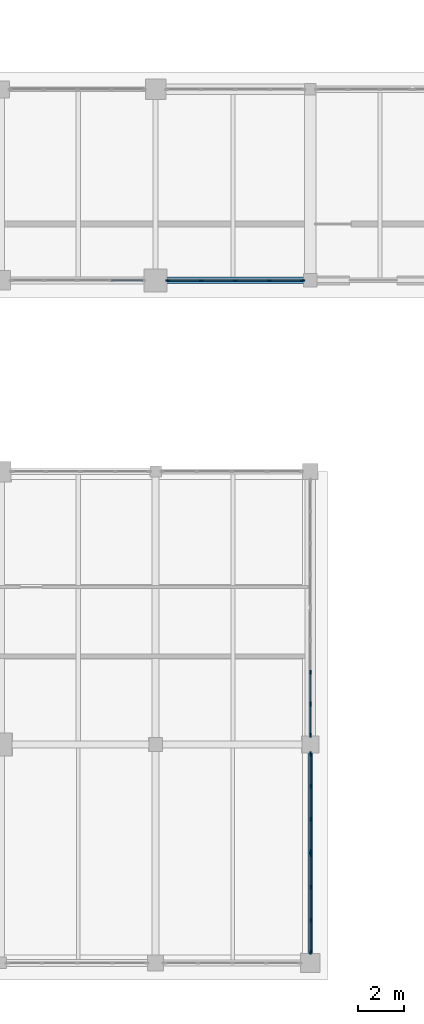
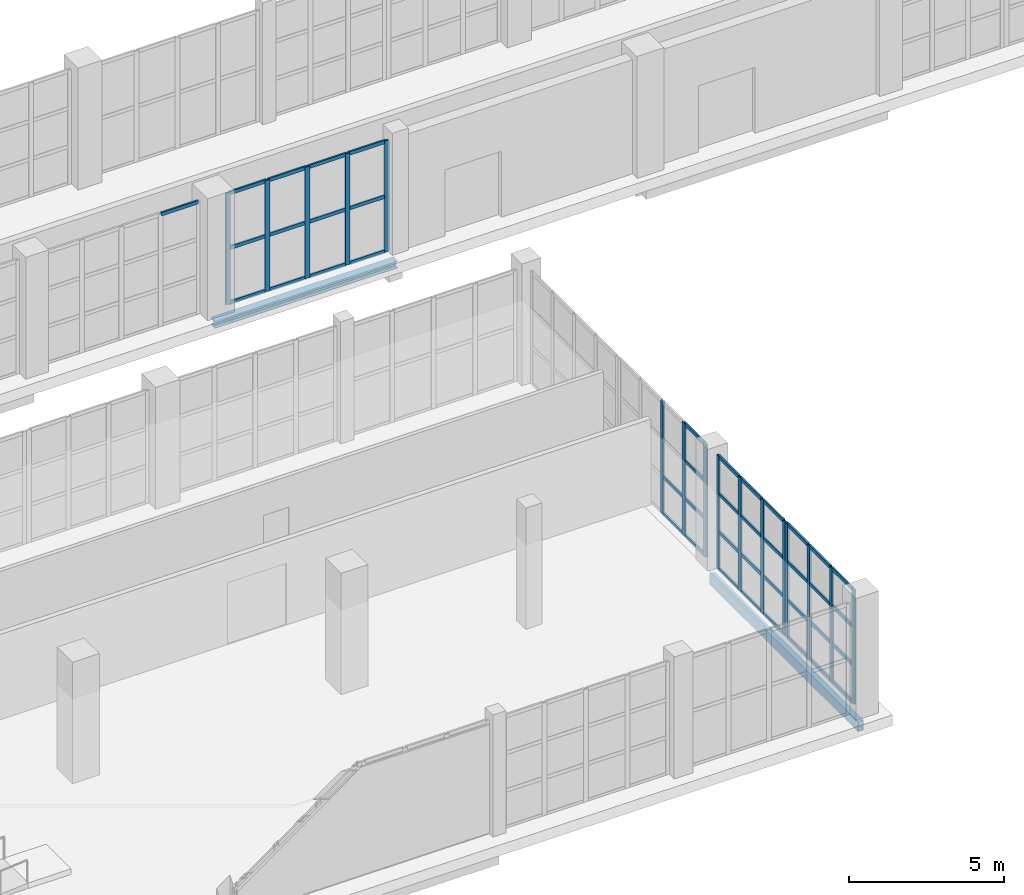
# One storey, part 46 of 121: 59 members, 2 beams, 5 elements without a shape of their own.
"""IFC4 building model written with IfcOpenShell, lengths in metres."""

from ifc_helpers import new_model, si_unit, direction, frame, origin, origin_2d, place, context, subcontext, project, spatial, rectangle, hollow_rectangle, i_section, extrude, material, layer, layer_set, material_profile, profile_set, type_object, element, aggregate, save


model = new_model("IFC4")

# Units and contexts
model_context = context("Model", 3, precision=1e-05, world=origin(), true_north=direction((0.0, 1.0)))
body_context = subcontext(model_context, "Body", "Model", "MODEL_VIEW")
ifc_project = project(units=[si_unit("LENGTHUNIT", "METRE"), si_unit("AREAUNIT", "SQUARE_METRE"), si_unit("VOLUMEUNIT", "CUBIC_METRE"), si_unit("PLANEANGLEUNIT", "RADIAN"), si_unit("MASSUNIT", "GRAM", prefix="KILO")], contexts=[model_context])

# Site, building, storey
site_placement = place(None, origin())
site = spatial("IfcSite", under=ifc_project, at=site_placement, CompositionType="ELEMENT")
building_placement = place(site_placement, origin())
building = spatial("IfcBuilding", under=site, at=building_placement, Name="Zereglee Splitstone Museum", CompositionType="ELEMENT")
storey_placement = place(building_placement, origin())
storey = spatial("IfcBuildingStorey", under=building, at=storey_placement, Name="L00", CompositionType="ELEMENT", Elevation=0.0)

# Curtain wall, members
ifc_material_1 = material(Name="Triple-glazed low-E argon glass and bronze-anodised aluminium", Category="aluminium")
ifc_layer_1 = layer(ifc_material_1, 0.179931640625)
ifc_layer_set_1 = layer_set([ifc_layer_1], Name="Triple-glazed low-E argon glass and bronze-anodised aluminium")
curtain_wall_type_1 = type_object("IfcCurtainWallType", Name="CW-0435-450", PredefinedType="USERDEFINED", material=ifc_layer_set_1)
curtain_wall_1_placement = place(storey_placement, origin())
curtain_wall_1 = element("IfcCurtainWall", 1, at=curtain_wall_1_placement, inside=storey, type_object=curtain_wall_type_1, Name="Glazed Curtain Wall CW-0435-450 (L00)", ObjectType="GLAZED CURTAIN WALL", PredefinedType="USERDEFINED")
ifc_material_2 = material(Name="Thermally broken bronze-anodised aluminium", Category="aluminium")
ifc_material_profile_1 = material_profile(ifc_material_2, rectangle(XDim=0.06494140625, YDim=0.179931640625, at=origin_2d()), Name="CW MULL 65x180")
ifc_profile_set_1 = profile_set([ifc_material_profile_1], Name="Thermally broken bronze-anodised aluminium")
member_type_1 = type_object("IfcMemberType", Name="CWM-01", PredefinedType="MULLION", material=ifc_profile_set_1)
member_1_placement = place(storey_placement, frame((228.800048828125, 0.465576171875, 0.0), z_axis=(0.0, 0.0, 1.0), x_axis=(-1.0, 0.0, 0.0)))
member_1 = element("IfcMember", 2, at=member_1_placement, type_object=member_type_1, Name="CW-0435-450 mullion 1", PredefinedType="MULLION", context=body_context, shape_type="SweptSolid", body=[
    extrude(rectangle(XDim=0.06494140625, YDim=0.179931640625, at=origin_2d()), origin(), (0.0, 0.0, 1.0), 4.5),
])
member_2_placement = place(storey_placement, frame((228.800048828125, 1.883544921875, 0.0), z_axis=(0.0, 0.0, 1.0), x_axis=(-1.0, 0.0, 0.0)))
member_2 = element("IfcMember", 3, at=member_2_placement, type_object=member_type_1, Name="CW-0435-450 mullion 2", PredefinedType="MULLION", context=body_context, shape_type="SweptSolid", body=[
    extrude(rectangle(XDim=0.06494140625, YDim=0.179931640625, at=origin_2d()), origin(), (0.0, 0.0, 1.0), 4.5),
])
member_3_placement = place(storey_placement, frame((228.800048828125, 3.334228515625, 0.0), z_axis=(0.0, 0.0, 1.0), x_axis=(-1.0, 0.0, 0.0)))
member_3 = element("IfcMember", 4, at=member_3_placement, type_object=member_type_1, Name="CW-0435-450 mullion 3", PredefinedType="MULLION", context=body_context, shape_type="SweptSolid", body=[
    extrude(rectangle(XDim=0.06494140625, YDim=0.179931640625, at=origin_2d()), origin(), (0.0, 0.0, 1.0), 4.5),
])
member_4_placement = place(storey_placement, frame((228.800048828125, 4.75244140625, 0.0), z_axis=(0.0, 0.0, 1.0), x_axis=(-1.0, 0.0, 0.0)))
member_4 = element("IfcMember", 5, at=member_4_placement, type_object=member_type_1, Name="CW-0435-450 mullion 4", PredefinedType="MULLION", context=body_context, shape_type="SweptSolid", body=[
    extrude(rectangle(XDim=0.06494140625, YDim=0.179931640625, at=origin_2d()), origin(), (0.0, 0.0, 1.0), 4.5),
])

ifc_layer_2 = layer(ifc_material_1, 0.179931640625)
ifc_layer_set_2 = layer_set([ifc_layer_2], Name="Triple-glazed low-E argon glass and bronze-anodised aluminium")
curtain_wall_type_2 = type_object("IfcCurtainWallType", Name="CW-0435-448", PredefinedType="USERDEFINED", material=ifc_layer_set_2)
curtain_wall_2_placement = place(storey_placement, origin())
curtain_wall_2 = element("IfcCurtainWall", 6, at=curtain_wall_2_placement, inside=storey, type_object=curtain_wall_type_2, Name="Glazed Curtain Wall CW-0435-448 (L00)", ObjectType="GLAZED CURTAIN WALL", PredefinedType="USERDEFINED")
member_5_placement = place(storey_placement, frame((228.800048828125, 4.8974609375, 0.0), z_axis=(0.0, 0.0, 1.0), x_axis=(-1.0, 0.0, 0.0)))
member_5 = element("IfcMember", 7, at=member_5_placement, type_object=member_type_1, Name="CW-0435-448 mullion 1", PredefinedType="MULLION", context=body_context, shape_type="SweptSolid", body=[
    extrude(rectangle(XDim=0.06494140625, YDim=0.179931640625, at=origin_2d()), origin(), (0.0, 0.0, 1.0), 4.47998046875),
])
member_6_placement = place(storey_placement, frame((228.800048828125, 6.315673828125, 0.0), z_axis=(0.0, 0.0, 1.0), x_axis=(-1.0, 0.0, 0.0)))
member_6 = element("IfcMember", 8, at=member_6_placement, type_object=member_type_1, Name="CW-0435-448 mullion 2", PredefinedType="MULLION", context=body_context, shape_type="SweptSolid", body=[
    extrude(rectangle(XDim=0.06494140625, YDim=0.179931640625, at=origin_2d()), origin(), (0.0, 0.0, 1.0), 4.47998046875),
])
member_7_placement = place(storey_placement, frame((228.800048828125, 7.766357421875, 0.0), z_axis=(0.0, 0.0, 1.0), x_axis=(-1.0, 0.0, 0.0)))
member_7 = element("IfcMember", 9, at=member_7_placement, type_object=member_type_1, Name="CW-0435-448 mullion 3", PredefinedType="MULLION", context=body_context, shape_type="SweptSolid", body=[
    extrude(rectangle(XDim=0.06494140625, YDim=0.179931640625, at=origin_2d()), origin(), (0.0, 0.0, 1.0), 4.47998046875),
])
member_8_placement = place(storey_placement, frame((228.800048828125, 9.1845703125, 0.0), z_axis=(0.0, 0.0, 1.0), x_axis=(-1.0, 0.0, 0.0)))
member_8 = element("IfcMember", 10, at=member_8_placement, type_object=member_type_1, Name="CW-0435-448 mullion 4", PredefinedType="MULLION", context=body_context, shape_type="SweptSolid", body=[
    extrude(rectangle(XDim=0.06494140625, YDim=0.179931640625, at=origin_2d()), origin(), (0.0, 0.0, 1.0), 4.47998046875),
])

ifc_layer_3 = layer(ifc_material_1, 0.179931640625)
ifc_layer_set_3 = layer_set([ifc_layer_3], Name="Triple-glazed low-E argon glass and bronze-anodised aluminium")
curtain_wall_type_3 = type_object("IfcCurtainWallType", Name="CW-0559-444", PredefinedType="USERDEFINED", material=ifc_layer_set_3)
curtain_wall_3_placement = place(storey_placement, origin())
curtain_wall_3 = element("IfcCurtainWall", 11, at=curtain_wall_3_placement, inside=storey, type_object=curtain_wall_type_3, Name="Glazed Curtain Wall CW-0559-444 (L00)", ObjectType="GLAZED CURTAIN WALL", PredefinedType="USERDEFINED")
member_9_placement = place(storey_placement, frame((228.800048828125, 10.015380859375, 0.0), z_axis=(0.0, 0.0, 1.0), x_axis=(-1.0, 0.0, 0.0)))
member_9 = element("IfcMember", 12, at=member_9_placement, type_object=member_type_1, Name="CW-0559-444 mullion 1", PredefinedType="MULLION", context=body_context, shape_type="SweptSolid", body=[
    extrude(rectangle(XDim=0.06494140625, YDim=0.179931640625, at=origin_2d()), origin(), (0.0, 0.0, 1.0), 4.43994140625),
])
member_10_placement = place(storey_placement, frame((228.800048828125, 11.38037109375, 0.0), z_axis=(0.0, 0.0, 1.0), x_axis=(-1.0, 0.0, 0.0)))
member_10 = element("IfcMember", 13, at=member_10_placement, type_object=member_type_1, Name="CW-0559-444 mullion 2", PredefinedType="MULLION", context=body_context, shape_type="SweptSolid", body=[
    extrude(rectangle(XDim=0.06494140625, YDim=0.179931640625, at=origin_2d()), origin(), (0.0, 0.0, 1.0), 4.43994140625),
])
member_11_placement = place(storey_placement, frame((228.800048828125, 12.77783203125, 0.0), z_axis=(0.0, 0.0, 1.0), x_axis=(-1.0, 0.0, 0.0)))
member_11 = element("IfcMember", 14, at=member_11_placement, type_object=member_type_1, Name="CW-0559-444 mullion 3", PredefinedType="MULLION", context=body_context, shape_type="SweptSolid", body=[
    extrude(rectangle(XDim=0.06494140625, YDim=0.179931640625, at=origin_2d()), origin(), (0.0, 0.0, 1.0), 4.43994140625),
])

ifc_layer_4 = layer(ifc_material_1, 0.179931640625)
ifc_layer_set_4 = layer_set([ifc_layer_4], Name="Triple-glazed low-E argon glass and bronze-anodised aluminium")
curtain_wall_type_4 = type_object("IfcCurtainWallType", Name="CW-0598-438", PredefinedType="USERDEFINED", material=ifc_layer_set_4)
curtain_wall_4_placement = place(storey_placement, origin())
curtain_wall_4 = element("IfcCurtainWall", 15, at=curtain_wall_4_placement, inside=storey, type_object=curtain_wall_type_4, Name="Glazed Curtain Wall CW-0598-438 (L00)", ObjectType="GLAZED CURTAIN WALL", PredefinedType="USERDEFINED")
member_12_placement = place(storey_placement, frame((222.54052734375, 30.0, 0.0), z_axis=(0.0, 0.0, 1.0), x_axis=(0.0, 1.0, 0.0)))
member_12 = element("IfcMember", 16, at=member_12_placement, type_object=member_type_1, Name="CW-0598-438 mullion 1", PredefinedType="MULLION", context=body_context, shape_type="SweptSolid", body=[
    extrude(rectangle(XDim=0.06494140625, YDim=0.179931640625, at=origin_2d()), origin(), (0.0, 0.0, 1.0), 4.3798828125),
])
member_13_placement = place(storey_placement, frame((224.00390625, 30.0, 0.0), z_axis=(0.0, 0.0, 1.0), x_axis=(0.0, 1.0, 0.0)))
member_13 = element("IfcMember", 17, at=member_13_placement, type_object=member_type_1, Name="CW-0598-438 mullion 2", PredefinedType="MULLION", context=body_context, shape_type="SweptSolid", body=[
    extrude(rectangle(XDim=0.06494140625, YDim=0.179931640625, at=origin_2d()), origin(), (0.0, 0.0, 1.0), 4.3798828125),
])
member_14_placement = place(storey_placement, frame((225.5, 30.0, 0.0), z_axis=(0.0, 0.0, 1.0), x_axis=(0.0, 1.0, 0.0)))
member_14 = element("IfcMember", 18, at=member_14_placement, type_object=member_type_1, Name="CW-0598-438 mullion 3", PredefinedType="MULLION", context=body_context, shape_type="SweptSolid", body=[
    extrude(rectangle(XDim=0.06494140625, YDim=0.179931640625, at=origin_2d()), origin(), (0.0, 0.0, 1.0), 4.3798828125),
])
member_15_placement = place(storey_placement, frame((226.99609375, 30.0, 0.0), z_axis=(0.0, 0.0, 1.0), x_axis=(0.0, 1.0, 0.0)))
member_15 = element("IfcMember", 19, at=member_15_placement, type_object=member_type_1, Name="CW-0598-438 mullion 4", PredefinedType="MULLION", context=body_context, shape_type="SweptSolid", body=[
    extrude(rectangle(XDim=0.06494140625, YDim=0.179931640625, at=origin_2d()), origin(), (0.0, 0.0, 1.0), 4.3798828125),
])
member_16_placement = place(storey_placement, frame((228.45947265625, 30.0, 0.0), z_axis=(0.0, 0.0, 1.0), x_axis=(0.0, 1.0, 0.0)))
member_16 = element("IfcMember", 20, at=member_16_placement, type_object=member_type_1, Name="CW-0598-438 mullion 5", PredefinedType="MULLION", context=body_context, shape_type="SweptSolid", body=[
    extrude(rectangle(XDim=0.06494140625, YDim=0.179931640625, at=origin_2d()), origin(), (0.0, 0.0, 1.0), 4.3798828125),
])

# Member
ifc_material_profile_2 = material_profile(ifc_material_2, rectangle(XDim=0.06494140625, YDim=0.139892578125, at=origin_2d()), Name="CW TRAN 65x140")
ifc_profile_set_2 = profile_set([ifc_material_profile_2], Name="Thermally broken bronze-anodised aluminium")
member_type_2 = type_object("IfcMemberType", Name="CWT-01", PredefinedType="USERDEFINED", material=ifc_profile_set_2)
member_17_placement = place(storey_placement, frame((228.800048828125, 0.498046875, 0.032470703125), z_axis=(0.0, 1.0, 0.0), x_axis=(-1.0, 0.0, 0.0)))
member_17 = element("IfcMember", 21, at=member_17_placement, type_object=member_type_2, Name="CW-0435-450 transom 1.1", ObjectType="TRANSOM", PredefinedType="USERDEFINED", context=body_context, shape_type="SweptSolid", body=[
    extrude(rectangle(XDim=0.06494140625, YDim=0.139892578125, at=origin_2d()), origin(), (0.0, 0.0, 1.0), 1.35302734375),
])

member_18_placement = place(storey_placement, frame((228.800048828125, 0.498046875, 1.5), z_axis=(0.0, 1.0, 0.0), x_axis=(-1.0, 0.0, 0.0)))
member_18 = element("IfcMember", 22, at=member_18_placement, type_object=member_type_2, Name="CW-0435-450 transom 1.2", ObjectType="TRANSOM", PredefinedType="USERDEFINED", context=body_context, shape_type="SweptSolid", body=[
    extrude(rectangle(XDim=0.06494140625, YDim=0.139892578125, at=origin_2d()), origin(), (0.0, 0.0, 1.0), 1.35302734375),
])

member_19_placement = place(storey_placement, frame((228.800048828125, 0.498046875, 3.0), z_axis=(0.0, 1.0, 0.0), x_axis=(-1.0, 0.0, 0.0)))
member_19 = element("IfcMember", 23, at=member_19_placement, type_object=member_type_2, Name="CW-0435-450 transom 1.3", ObjectType="TRANSOM", PredefinedType="USERDEFINED", context=body_context, shape_type="SweptSolid", body=[
    extrude(rectangle(XDim=0.06494140625, YDim=0.139892578125, at=origin_2d()), origin(), (0.0, 0.0, 1.0), 1.35302734375),
])

member_20_placement = place(storey_placement, frame((228.800048828125, 0.498046875, 4.467529296875), z_axis=(0.0, 1.0, 0.0), x_axis=(-1.0, 0.0, 0.0)))
member_20 = element("IfcMember", 24, at=member_20_placement, type_object=member_type_2, Name="CW-0435-450 transom 1.4", ObjectType="TRANSOM", PredefinedType="USERDEFINED", context=body_context, shape_type="SweptSolid", body=[
    extrude(rectangle(XDim=0.06494140625, YDim=0.139892578125, at=origin_2d()), origin(), (0.0, 0.0, 1.0), 1.35302734375),
])

member_21_placement = place(storey_placement, frame((228.800048828125, 1.916259765625, 0.032470703125), z_axis=(0.0, 1.0, 0.0), x_axis=(-1.0, 0.0, 0.0)))
member_21 = element("IfcMember", 25, at=member_21_placement, type_object=member_type_2, Name="CW-0435-450 transom 2.1", ObjectType="TRANSOM", PredefinedType="USERDEFINED", context=body_context, shape_type="SweptSolid", body=[
    extrude(rectangle(XDim=0.06494140625, YDim=0.139892578125, at=origin_2d()), origin(), (0.0, 0.0, 1.0), 1.385498046875),
])

member_22_placement = place(storey_placement, frame((228.800048828125, 1.916259765625, 1.5), z_axis=(0.0, 1.0, 0.0), x_axis=(-1.0, 0.0, 0.0)))
member_22 = element("IfcMember", 26, at=member_22_placement, type_object=member_type_2, Name="CW-0435-450 transom 2.2", ObjectType="TRANSOM", PredefinedType="USERDEFINED", context=body_context, shape_type="SweptSolid", body=[
    extrude(rectangle(XDim=0.06494140625, YDim=0.139892578125, at=origin_2d()), origin(), (0.0, 0.0, 1.0), 1.385498046875),
])

member_23_placement = place(storey_placement, frame((228.800048828125, 1.916259765625, 3.0), z_axis=(0.0, 1.0, 0.0), x_axis=(-1.0, 0.0, 0.0)))
member_23 = element("IfcMember", 27, at=member_23_placement, type_object=member_type_2, Name="CW-0435-450 transom 2.3", ObjectType="TRANSOM", PredefinedType="USERDEFINED", context=body_context, shape_type="SweptSolid", body=[
    extrude(rectangle(XDim=0.06494140625, YDim=0.139892578125, at=origin_2d()), origin(), (0.0, 0.0, 1.0), 1.385498046875),
])

member_24_placement = place(storey_placement, frame((228.800048828125, 1.916259765625, 4.467529296875), z_axis=(0.0, 1.0, 0.0), x_axis=(-1.0, 0.0, 0.0)))
member_24 = element("IfcMember", 28, at=member_24_placement, type_object=member_type_2, Name="CW-0435-450 transom 2.4", ObjectType="TRANSOM", PredefinedType="USERDEFINED", context=body_context, shape_type="SweptSolid", body=[
    extrude(rectangle(XDim=0.06494140625, YDim=0.139892578125, at=origin_2d()), origin(), (0.0, 0.0, 1.0), 1.385498046875),
])

member_25_placement = place(storey_placement, frame((228.800048828125, 3.366943359375, 0.032470703125), z_axis=(0.0, 1.0, 0.0), x_axis=(-1.0, 0.0, 0.0)))
member_25 = element("IfcMember", 29, at=member_25_placement, type_object=member_type_2, Name="CW-0435-450 transom 3.1", ObjectType="TRANSOM", PredefinedType="USERDEFINED", context=body_context, shape_type="SweptSolid", body=[
    extrude(rectangle(XDim=0.06494140625, YDim=0.139892578125, at=origin_2d()), origin(), (0.0, 0.0, 1.0), 1.35302734375),
])

member_26_placement = place(storey_placement, frame((228.800048828125, 3.366943359375, 1.5), z_axis=(0.0, 1.0, 0.0), x_axis=(-1.0, 0.0, 0.0)))
member_26 = element("IfcMember", 30, at=member_26_placement, type_object=member_type_2, Name="CW-0435-450 transom 3.2", ObjectType="TRANSOM", PredefinedType="USERDEFINED", context=body_context, shape_type="SweptSolid", body=[
    extrude(rectangle(XDim=0.06494140625, YDim=0.139892578125, at=origin_2d()), origin(), (0.0, 0.0, 1.0), 1.35302734375),
])

member_27_placement = place(storey_placement, frame((228.800048828125, 3.366943359375, 3.0), z_axis=(0.0, 1.0, 0.0), x_axis=(-1.0, 0.0, 0.0)))
member_27 = element("IfcMember", 31, at=member_27_placement, type_object=member_type_2, Name="CW-0435-450 transom 3.3", ObjectType="TRANSOM", PredefinedType="USERDEFINED", context=body_context, shape_type="SweptSolid", body=[
    extrude(rectangle(XDim=0.06494140625, YDim=0.139892578125, at=origin_2d()), origin(), (0.0, 0.0, 1.0), 1.35302734375),
])

member_28_placement = place(storey_placement, frame((228.800048828125, 3.366943359375, 4.467529296875), z_axis=(0.0, 1.0, 0.0), x_axis=(-1.0, 0.0, 0.0)))
member_28 = element("IfcMember", 32, at=member_28_placement, type_object=member_type_2, Name="CW-0435-450 transom 3.4", ObjectType="TRANSOM", PredefinedType="USERDEFINED", context=body_context, shape_type="SweptSolid", body=[
    extrude(rectangle(XDim=0.06494140625, YDim=0.139892578125, at=origin_2d()), origin(), (0.0, 0.0, 1.0), 1.35302734375),
])

aggregate(curtain_wall_1, [member_1, member_2, member_3, member_4, member_17, member_18, member_19, member_20, member_21, member_22, member_23, member_24, member_25, member_26, member_27, member_28])

member_29_placement = place(storey_placement, frame((228.800048828125, 4.929931640625, 0.032470703125), z_axis=(0.0, 1.0, 0.0), x_axis=(-1.0, 0.0, 0.0)))
member_29 = element("IfcMember", 33, at=member_29_placement, type_object=member_type_2, Name="CW-0435-448 transom 1.1", ObjectType="TRANSOM", PredefinedType="USERDEFINED", context=body_context, shape_type="SweptSolid", body=[
    extrude(rectangle(XDim=0.06494140625, YDim=0.139892578125, at=origin_2d()), origin(), (0.0, 0.0, 1.0), 1.353271484375),
])

member_30_placement = place(storey_placement, frame((228.800048828125, 4.929931640625, 1.493408203125), z_axis=(0.0, 1.0, 0.0), x_axis=(-1.0, 0.0, 0.0)))
member_30 = element("IfcMember", 34, at=member_30_placement, type_object=member_type_2, Name="CW-0435-448 transom 1.2", ObjectType="TRANSOM", PredefinedType="USERDEFINED", context=body_context, shape_type="SweptSolid", body=[
    extrude(rectangle(XDim=0.06494140625, YDim=0.139892578125, at=origin_2d()), origin(), (0.0, 0.0, 1.0), 1.353271484375),
])

member_31_placement = place(storey_placement, frame((228.800048828125, 4.929931640625, 2.98681640625), z_axis=(0.0, 1.0, 0.0), x_axis=(-1.0, 0.0, 0.0)))
member_31 = element("IfcMember", 35, at=member_31_placement, type_object=member_type_2, Name="CW-0435-448 transom 1.3", ObjectType="TRANSOM", PredefinedType="USERDEFINED", context=body_context, shape_type="SweptSolid", body=[
    extrude(rectangle(XDim=0.06494140625, YDim=0.139892578125, at=origin_2d()), origin(), (0.0, 0.0, 1.0), 1.353271484375),
])

member_32_placement = place(storey_placement, frame((228.800048828125, 4.929931640625, 4.447509765625), z_axis=(0.0, 1.0, 0.0), x_axis=(-1.0, 0.0, 0.0)))
member_32 = element("IfcMember", 36, at=member_32_placement, type_object=member_type_2, Name="CW-0435-448 transom 1.4", ObjectType="TRANSOM", PredefinedType="USERDEFINED", context=body_context, shape_type="SweptSolid", body=[
    extrude(rectangle(XDim=0.06494140625, YDim=0.139892578125, at=origin_2d()), origin(), (0.0, 0.0, 1.0), 1.353271484375),
])

member_33_placement = place(storey_placement, frame((228.800048828125, 6.34814453125, 0.032470703125), z_axis=(0.0, 1.0, 0.0), x_axis=(-1.0, 0.0, 0.0)))
member_33 = element("IfcMember", 37, at=member_33_placement, type_object=member_type_2, Name="CW-0435-448 transom 2.1", ObjectType="TRANSOM", PredefinedType="USERDEFINED", context=body_context, shape_type="SweptSolid", body=[
    extrude(rectangle(XDim=0.06494140625, YDim=0.139892578125, at=origin_2d()), origin(), (0.0, 0.0, 1.0), 1.3857421875),
])

member_34_placement = place(storey_placement, frame((228.800048828125, 6.34814453125, 1.493408203125), z_axis=(0.0, 1.0, 0.0), x_axis=(-1.0, 0.0, 0.0)))
member_34 = element("IfcMember", 38, at=member_34_placement, type_object=member_type_2, Name="CW-0435-448 transom 2.2", ObjectType="TRANSOM", PredefinedType="USERDEFINED", context=body_context, shape_type="SweptSolid", body=[
    extrude(rectangle(XDim=0.06494140625, YDim=0.139892578125, at=origin_2d()), origin(), (0.0, 0.0, 1.0), 1.3857421875),
])

member_35_placement = place(storey_placement, frame((228.800048828125, 6.34814453125, 2.98681640625), z_axis=(0.0, 1.0, 0.0), x_axis=(-1.0, 0.0, 0.0)))
member_35 = element("IfcMember", 39, at=member_35_placement, type_object=member_type_2, Name="CW-0435-448 transom 2.3", ObjectType="TRANSOM", PredefinedType="USERDEFINED", context=body_context, shape_type="SweptSolid", body=[
    extrude(rectangle(XDim=0.06494140625, YDim=0.139892578125, at=origin_2d()), origin(), (0.0, 0.0, 1.0), 1.3857421875),
])

member_36_placement = place(storey_placement, frame((228.800048828125, 6.34814453125, 4.447509765625), z_axis=(0.0, 1.0, 0.0), x_axis=(-1.0, 0.0, 0.0)))
member_36 = element("IfcMember", 40, at=member_36_placement, type_object=member_type_2, Name="CW-0435-448 transom 2.4", ObjectType="TRANSOM", PredefinedType="USERDEFINED", context=body_context, shape_type="SweptSolid", body=[
    extrude(rectangle(XDim=0.06494140625, YDim=0.139892578125, at=origin_2d()), origin(), (0.0, 0.0, 1.0), 1.3857421875),
])

member_37_placement = place(storey_placement, frame((228.800048828125, 7.798828125, 0.032470703125), z_axis=(0.0, 1.0, 0.0), x_axis=(-1.0, 0.0, 0.0)))
member_37 = element("IfcMember", 41, at=member_37_placement, type_object=member_type_2, Name="CW-0435-448 transom 3.1", ObjectType="TRANSOM", PredefinedType="USERDEFINED", context=body_context, shape_type="SweptSolid", body=[
    extrude(rectangle(XDim=0.06494140625, YDim=0.139892578125, at=origin_2d()), origin(), (0.0, 0.0, 1.0), 1.353271484375),
])

member_38_placement = place(storey_placement, frame((228.800048828125, 7.798828125, 1.493408203125), z_axis=(0.0, 1.0, 0.0), x_axis=(-1.0, 0.0, 0.0)))
member_38 = element("IfcMember", 42, at=member_38_placement, type_object=member_type_2, Name="CW-0435-448 transom 3.2", ObjectType="TRANSOM", PredefinedType="USERDEFINED", context=body_context, shape_type="SweptSolid", body=[
    extrude(rectangle(XDim=0.06494140625, YDim=0.139892578125, at=origin_2d()), origin(), (0.0, 0.0, 1.0), 1.353271484375),
])

member_39_placement = place(storey_placement, frame((228.800048828125, 7.798828125, 2.98681640625), z_axis=(0.0, 1.0, 0.0), x_axis=(-1.0, 0.0, 0.0)))
member_39 = element("IfcMember", 43, at=member_39_placement, type_object=member_type_2, Name="CW-0435-448 transom 3.3", ObjectType="TRANSOM", PredefinedType="USERDEFINED", context=body_context, shape_type="SweptSolid", body=[
    extrude(rectangle(XDim=0.06494140625, YDim=0.139892578125, at=origin_2d()), origin(), (0.0, 0.0, 1.0), 1.353271484375),
])

member_40_placement = place(storey_placement, frame((228.800048828125, 7.798828125, 4.447509765625), z_axis=(0.0, 1.0, 0.0), x_axis=(-1.0, 0.0, 0.0)))
member_40 = element("IfcMember", 44, at=member_40_placement, type_object=member_type_2, Name="CW-0435-448 transom 3.4", ObjectType="TRANSOM", PredefinedType="USERDEFINED", context=body_context, shape_type="SweptSolid", body=[
    extrude(rectangle(XDim=0.06494140625, YDim=0.139892578125, at=origin_2d()), origin(), (0.0, 0.0, 1.0), 1.353271484375),
])

aggregate(curtain_wall_2, [member_5, member_6, member_7, member_8, member_29, member_30, member_31, member_32, member_33, member_34, member_35, member_36, member_37, member_38, member_39, member_40])

member_41_placement = place(storey_placement, frame((228.800048828125, 10.048095703125, 0.032470703125), z_axis=(0.0, 1.0, 0.0), x_axis=(-1.0, 0.0, 0.0)))
member_41 = element("IfcMember", 45, at=member_41_placement, type_object=member_type_2, Name="CW-0559-444 transom 1.1", ObjectType="TRANSOM", PredefinedType="USERDEFINED", context=body_context, shape_type="SweptSolid", body=[
    extrude(rectangle(XDim=0.06494140625, YDim=0.139892578125, at=origin_2d()), origin(), (0.0, 0.0, 1.0), 1.2998046875),
])

member_42_placement = place(storey_placement, frame((228.800048828125, 10.048095703125, 1.47998046875), z_axis=(0.0, 1.0, 0.0), x_axis=(-1.0, 0.0, 0.0)))
member_42 = element("IfcMember", 46, at=member_42_placement, type_object=member_type_2, Name="CW-0559-444 transom 1.2", ObjectType="TRANSOM", PredefinedType="USERDEFINED", context=body_context, shape_type="SweptSolid", body=[
    extrude(rectangle(XDim=0.06494140625, YDim=0.139892578125, at=origin_2d()), origin(), (0.0, 0.0, 1.0), 1.2998046875),
])

member_43_placement = place(storey_placement, frame((228.800048828125, 10.048095703125, 2.9599609375), z_axis=(0.0, 1.0, 0.0), x_axis=(-1.0, 0.0, 0.0)))
member_43 = element("IfcMember", 47, at=member_43_placement, type_object=member_type_2, Name="CW-0559-444 transom 1.3", ObjectType="TRANSOM", PredefinedType="USERDEFINED", context=body_context, shape_type="SweptSolid", body=[
    extrude(rectangle(XDim=0.06494140625, YDim=0.139892578125, at=origin_2d()), origin(), (0.0, 0.0, 1.0), 1.2998046875),
])

member_44_placement = place(storey_placement, frame((228.800048828125, 10.048095703125, 4.407470703125), z_axis=(0.0, 1.0, 0.0), x_axis=(-1.0, 0.0, 0.0)))
member_44 = element("IfcMember", 48, at=member_44_placement, type_object=member_type_2, Name="CW-0559-444 transom 1.4", ObjectType="TRANSOM", PredefinedType="USERDEFINED", context=body_context, shape_type="SweptSolid", body=[
    extrude(rectangle(XDim=0.06494140625, YDim=0.139892578125, at=origin_2d()), origin(), (0.0, 0.0, 1.0), 1.2998046875),
])

member_45_placement = place(storey_placement, frame((228.800048828125, 11.412841796875, 0.032470703125), z_axis=(0.0, 1.0, 0.0), x_axis=(-1.0, 0.0, 0.0)))
member_45 = element("IfcMember", 49, at=member_45_placement, type_object=member_type_2, Name="CW-0559-444 transom 2.1", ObjectType="TRANSOM", PredefinedType="USERDEFINED", context=body_context, shape_type="SweptSolid", body=[
    extrude(rectangle(XDim=0.06494140625, YDim=0.139892578125, at=origin_2d()), origin(), (0.0, 0.0, 1.0), 1.33251953125),
])

member_46_placement = place(storey_placement, frame((228.800048828125, 11.412841796875, 1.47998046875), z_axis=(0.0, 1.0, 0.0), x_axis=(-1.0, 0.0, 0.0)))
member_46 = element("IfcMember", 50, at=member_46_placement, type_object=member_type_2, Name="CW-0559-444 transom 2.2", ObjectType="TRANSOM", PredefinedType="USERDEFINED", context=body_context, shape_type="SweptSolid", body=[
    extrude(rectangle(XDim=0.06494140625, YDim=0.139892578125, at=origin_2d()), origin(), (0.0, 0.0, 1.0), 1.33251953125),
])

aggregate(curtain_wall_3, [member_9, member_10, member_11, member_41, member_42, member_43, member_44, member_45, member_46])

# Curtain wall, member
ifc_layer_5 = layer(ifc_material_1, 0.179931640625)
ifc_layer_set_5 = layer_set([ifc_layer_5], Name="Triple-glazed low-E argon glass and bronze-anodised aluminium")
curtain_wall_type_5 = type_object("IfcCurtainWallType", Name="CW-0586-444", PredefinedType="USERDEFINED", material=ifc_layer_set_5)
curtain_wall_5_placement = place(storey_placement, origin())
curtain_wall_5 = element("IfcCurtainWall", 51, at=curtain_wall_5_placement, inside=storey, type_object=curtain_wall_type_5, Name="Glazed Curtain Wall CW-0586-444 (L00)", ObjectType="GLAZED CURTAIN WALL", PredefinedType="USERDEFINED")
member_47_placement = place(storey_placement, frame((220.059814453125, 30.0, 4.407470703125), z_axis=(1.0, 0.0, 0.0), x_axis=(0.0, 1.0, 0.0)))
member_47 = element("IfcMember", 52, at=member_47_placement, type_object=member_type_2, Name="CW-0586-444 transom 4.4", ObjectType="TRANSOM", PredefinedType="USERDEFINED", context=body_context, shape_type="SweptSolid", body=[
    extrude(rectangle(XDim=0.06494140625, YDim=0.139892578125, at=origin_2d()), origin(), (0.0, 0.0, 1.0), 1.3671875),
])
aggregate(curtain_wall_5, [member_47])

# Member
member_48_placement = place(storey_placement, frame((222.572998046875, 30.0, 0.032470703125), z_axis=(1.0, 0.0, 0.0), x_axis=(0.0, 1.0, 0.0)))
member_48 = element("IfcMember", 53, at=member_48_placement, type_object=member_type_2, Name="CW-0598-438 transom 1.1", ObjectType="TRANSOM", PredefinedType="USERDEFINED", context=body_context, shape_type="SweptSolid", body=[
    extrude(rectangle(XDim=0.06494140625, YDim=0.139892578125, at=origin_2d()), origin(), (0.0, 0.0, 1.0), 1.3984375),
])

member_49_placement = place(storey_placement, frame((222.572998046875, 30.0, 2.18994140625), z_axis=(1.0, 0.0, 0.0), x_axis=(0.0, 1.0, 0.0)))
member_49 = element("IfcMember", 54, at=member_49_placement, type_object=member_type_2, Name="CW-0598-438 transom 1.2", ObjectType="TRANSOM", PredefinedType="USERDEFINED", context=body_context, shape_type="SweptSolid", body=[
    extrude(rectangle(XDim=0.06494140625, YDim=0.139892578125, at=origin_2d()), origin(), (0.0, 0.0, 1.0), 1.3984375),
])

member_50_placement = place(storey_placement, frame((222.572998046875, 30.0, 4.347412109375), z_axis=(1.0, 0.0, 0.0), x_axis=(0.0, 1.0, 0.0)))
member_50 = element("IfcMember", 55, at=member_50_placement, type_object=member_type_2, Name="CW-0598-438 transom 1.3", ObjectType="TRANSOM", PredefinedType="USERDEFINED", context=body_context, shape_type="SweptSolid", body=[
    extrude(rectangle(XDim=0.06494140625, YDim=0.139892578125, at=origin_2d()), origin(), (0.0, 0.0, 1.0), 1.3984375),
])

member_51_placement = place(storey_placement, frame((224.03662109375, 30.0, 0.032470703125), z_axis=(1.0, 0.0, 0.0), x_axis=(0.0, 1.0, 0.0)))
member_51 = element("IfcMember", 56, at=member_51_placement, type_object=member_type_2, Name="CW-0598-438 transom 2.1", ObjectType="TRANSOM", PredefinedType="USERDEFINED", context=body_context, shape_type="SweptSolid", body=[
    extrude(rectangle(XDim=0.06494140625, YDim=0.139892578125, at=origin_2d()), origin(), (0.0, 0.0, 1.0), 1.430908203125),
])

member_52_placement = place(storey_placement, frame((224.03662109375, 30.0, 2.18994140625), z_axis=(1.0, 0.0, 0.0), x_axis=(0.0, 1.0, 0.0)))
member_52 = element("IfcMember", 57, at=member_52_placement, type_object=member_type_2, Name="CW-0598-438 transom 2.2", ObjectType="TRANSOM", PredefinedType="USERDEFINED", context=body_context, shape_type="SweptSolid", body=[
    extrude(rectangle(XDim=0.06494140625, YDim=0.139892578125, at=origin_2d()), origin(), (0.0, 0.0, 1.0), 1.430908203125),
])

member_53_placement = place(storey_placement, frame((224.03662109375, 30.0, 4.347412109375), z_axis=(1.0, 0.0, 0.0), x_axis=(0.0, 1.0, 0.0)))
member_53 = element("IfcMember", 58, at=member_53_placement, type_object=member_type_2, Name="CW-0598-438 transom 2.3", ObjectType="TRANSOM", PredefinedType="USERDEFINED", context=body_context, shape_type="SweptSolid", body=[
    extrude(rectangle(XDim=0.06494140625, YDim=0.139892578125, at=origin_2d()), origin(), (0.0, 0.0, 1.0), 1.430908203125),
])

member_54_placement = place(storey_placement, frame((225.532470703125, 30.0, 0.032470703125), z_axis=(1.0, 0.0, 0.0), x_axis=(0.0, 1.0, 0.0)))
member_54 = element("IfcMember", 59, at=member_54_placement, type_object=member_type_2, Name="CW-0598-438 transom 3.1", ObjectType="TRANSOM", PredefinedType="USERDEFINED", context=body_context, shape_type="SweptSolid", body=[
    extrude(rectangle(XDim=0.06494140625, YDim=0.139892578125, at=origin_2d()), origin(), (0.0, 0.0, 1.0), 1.430908203125),
])

member_55_placement = place(storey_placement, frame((225.532470703125, 30.0, 2.18994140625), z_axis=(1.0, 0.0, 0.0), x_axis=(0.0, 1.0, 0.0)))
member_55 = element("IfcMember", 60, at=member_55_placement, type_object=member_type_2, Name="CW-0598-438 transom 3.2", ObjectType="TRANSOM", PredefinedType="USERDEFINED", context=body_context, shape_type="SweptSolid", body=[
    extrude(rectangle(XDim=0.06494140625, YDim=0.139892578125, at=origin_2d()), origin(), (0.0, 0.0, 1.0), 1.430908203125),
])

member_56_placement = place(storey_placement, frame((225.532470703125, 30.0, 4.347412109375), z_axis=(1.0, 0.0, 0.0), x_axis=(0.0, 1.0, 0.0)))
member_56 = element("IfcMember", 61, at=member_56_placement, type_object=member_type_2, Name="CW-0598-438 transom 3.3", ObjectType="TRANSOM", PredefinedType="USERDEFINED", context=body_context, shape_type="SweptSolid", body=[
    extrude(rectangle(XDim=0.06494140625, YDim=0.139892578125, at=origin_2d()), origin(), (0.0, 0.0, 1.0), 1.430908203125),
])

member_57_placement = place(storey_placement, frame((227.028564453125, 30.0, 0.032470703125), z_axis=(1.0, 0.0, 0.0), x_axis=(0.0, 1.0, 0.0)))
member_57 = element("IfcMember", 62, at=member_57_placement, type_object=member_type_2, Name="CW-0598-438 transom 4.1", ObjectType="TRANSOM", PredefinedType="USERDEFINED", context=body_context, shape_type="SweptSolid", body=[
    extrude(rectangle(XDim=0.06494140625, YDim=0.139892578125, at=origin_2d()), origin(), (0.0, 0.0, 1.0), 1.3984375),
])

member_58_placement = place(storey_placement, frame((227.028564453125, 30.0, 2.18994140625), z_axis=(1.0, 0.0, 0.0), x_axis=(0.0, 1.0, 0.0)))
member_58 = element("IfcMember", 63, at=member_58_placement, type_object=member_type_2, Name="CW-0598-438 transom 4.2", ObjectType="TRANSOM", PredefinedType="USERDEFINED", context=body_context, shape_type="SweptSolid", body=[
    extrude(rectangle(XDim=0.06494140625, YDim=0.139892578125, at=origin_2d()), origin(), (0.0, 0.0, 1.0), 1.3984375),
])

member_59_placement = place(storey_placement, frame((227.028564453125, 30.0, 4.347412109375), z_axis=(1.0, 0.0, 0.0), x_axis=(0.0, 1.0, 0.0)))
member_59 = element("IfcMember", 64, at=member_59_placement, type_object=member_type_2, Name="CW-0598-438 transom 4.3", ObjectType="TRANSOM", PredefinedType="USERDEFINED", context=body_context, shape_type="SweptSolid", body=[
    extrude(rectangle(XDim=0.06494140625, YDim=0.139892578125, at=origin_2d()), origin(), (0.0, 0.0, 1.0), 1.3984375),
])

aggregate(curtain_wall_4, [member_12, member_13, member_14, member_15, member_16, member_48, member_49, member_50, member_51, member_52, member_53, member_54, member_55, member_56, member_57, member_58, member_59])

# Beams
ifc_material_3 = material(Name="Steel S355J2", Category="steel")
ifc_material_profile_3 = material_profile(ifc_material_3, i_section(OverallWidth=0.280029296875, OverallDepth=0.280029296875, WebThickness=0.010498046875, FlangeThickness=0.01806640625, FilletRadius=0.02392578125, at=origin_2d()), Name="HE 280 B")
ifc_profile_set_3 = profile_set([ifc_material_profile_3], Name="Steel S355J2")
beam_type_1 = type_object("IfcBeamType", Name="SP-03", PredefinedType="SPANDREL", material=ifc_profile_set_3)
beam_1_placement = place(storey_placement, frame((222.0, 30.0, -0.56005859375), z_axis=(1.0, 0.0, 0.0), x_axis=(0.0, 1.0, 0.0)))
element("IfcBeam", 65, at=beam_1_placement, inside=storey, type_object=beam_type_1, Name="Primary Girder L00 D (222.0-228.8)", PredefinedType="SPANDREL", context=body_context, shape_type="SweptSolid", body=[
    extrude(i_section(OverallWidth=0.280029296875, OverallDepth=0.280029296875, WebThickness=0.010498046875, FlangeThickness=0.01806640625, FilletRadius=0.02392578125, at=origin_2d()), origin(), (0.0, 0.0, 1.0), 6.800048828125),
])
ifc_material_4 = material(Name="Steel S355J2H", Category="steel")
ifc_material_profile_4 = material_profile(ifc_material_4, hollow_rectangle(XDim=0.199951171875, YDim=0.39990234375, WallThickness=0.01611328125, at=origin_2d()), Name="RHS 400x200x16")
ifc_profile_set_4 = profile_set([ifc_material_profile_4], Name="Steel S355J2H")
beam_type_2 = type_object("IfcBeamType", Name="SP-04", PredefinedType="SPANDREL", material=ifc_profile_set_4)
beam_2_placement = place(storey_placement, frame((228.800048828125, 0.0, -0.6201171875), z_axis=(0.0, 1.0, 0.0), x_axis=(-1.0, 0.0, 0.0)))
element("IfcBeam", 66, at=beam_2_placement, inside=storey, type_object=beam_type_2, Name="Primary Girder L00 26 (0.0-9.6)", PredefinedType="SPANDREL", context=body_context, shape_type="SweptSolid", body=[
    extrude(hollow_rectangle(XDim=0.199951171875, YDim=0.39990234375, WallThickness=0.01611328125, at=origin_2d()), origin(), (0.0, 0.0, 1.0), 9.60009765625),
])

save(model, "model.ifc")
